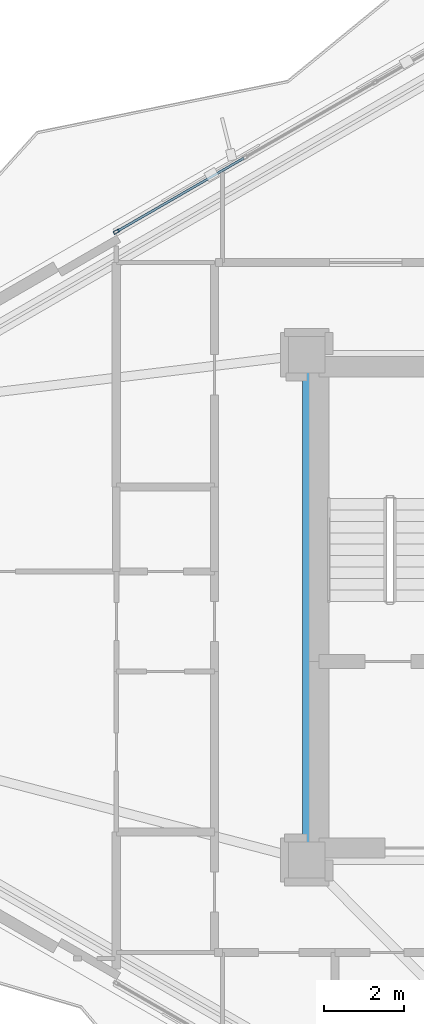
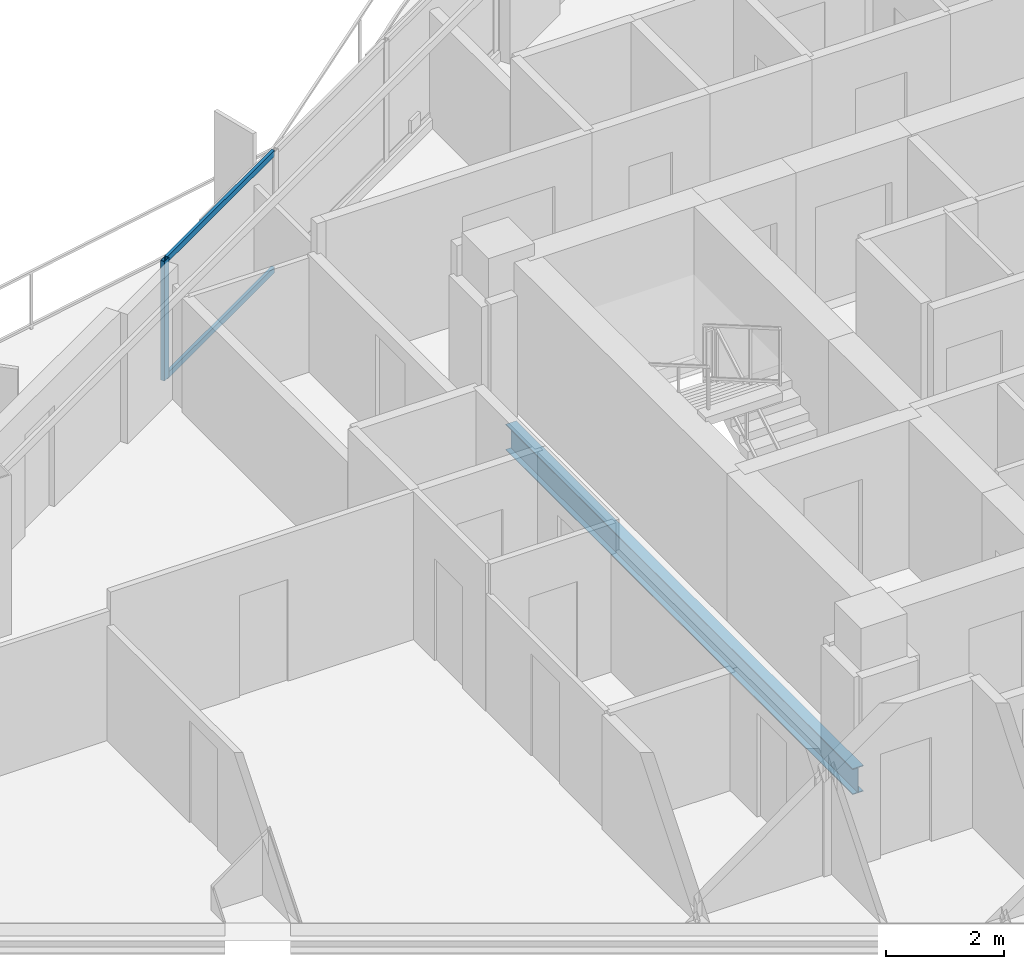
# One storey, part 6 of 22: 3 members, 1 beam, 1 element without a shape of its own.
"""IFC4 building model written with IfcOpenShell, lengths in metres."""

from ifc_helpers import new_model, si_unit, direction, frame, origin, origin_2d, place, context, subcontext, project, spatial, hollow_rectangle, i_section, extrude, material, layer, layer_set, material_profile, profile_set, type_object, element, aggregate, save


model = new_model("IFC4")

# Units and contexts
model_context = context("Model", 3, precision=1e-05, world=origin(), true_north=direction((0.0, 1.0)))
body_context = subcontext(model_context, "Body", "Model", "MODEL_VIEW")
ifc_project = project(units=[si_unit("LENGTHUNIT", "METRE"), si_unit("AREAUNIT", "SQUARE_METRE"), si_unit("VOLUMEUNIT", "CUBIC_METRE"), si_unit("PLANEANGLEUNIT", "RADIAN"), si_unit("MASSUNIT", "GRAM", prefix="KILO")], contexts=[model_context])

# Site, building, storey
site_placement = place(None, origin())
site = spatial("IfcSite", under=ifc_project, at=site_placement, CompositionType="ELEMENT")
building_placement = place(site_placement, origin())
building = spatial("IfcBuilding", under=site, at=building_placement, Name="Mersakhor Tower and Convention Hall", CompositionType="ELEMENT")
storey_placement = place(building_placement, frame((0.0, 0.0, 76.800048828125)))
storey = spatial("IfcBuildingStorey", under=building, at=storey_placement, Name="L20", CompositionType="ELEMENT", Elevation=76.800048828125)

# Beam
ifc_material_1 = material(Name="Steel S355", Category="steel")
ifc_material_profile_1 = material_profile(ifc_material_1, i_section(OverallWidth=0.2099609375, OverallDepth=0.53662109375, WebThickness=0.0107421875, FlangeThickness=0.017333984375, at=origin_2d()), Name="UB 533x210x101")
ifc_profile_set_1 = profile_set([ifc_material_profile_1], Name="Steel S355")
beam_type = type_object("IfcBeamType", Name="BM-FB-533", PredefinedType="BEAM", material=ifc_profile_set_1)
beam_placement = place(storey_placement, frame((21.89990234375, 20.8798828125, -0.5185546875), z_axis=(0.0, 1.0, 0.0), x_axis=(-1.0, 0.0, 0.0)))
element("IfcBeam", 1, at=beam_placement, inside=storey, type_object=beam_type, Name="L20 Core Ring Tie Beam CRB-1", PredefinedType="BEAM", context=body_context, shape_type="SweptSolid", body=[
    extrude(i_section(OverallWidth=0.2099609375, OverallDepth=0.53662109375, WebThickness=0.0107421875, FlangeThickness=0.017333984375, at=origin_2d()), origin(), (0.0, 0.0, 1.0), 11.740234375),
])

# Curtain wall, members
ifc_material_2 = material(Name="Dark solar low-E aluminium curtain wall", Category="aluminium")
ifc_layer = layer(ifc_material_2, 0.159912109375)
ifc_layer_set = layer_set([ifc_layer], Name="Dark solar low-E aluminium curtain wall")
curtain_wall_type = type_object("IfcCurtainWallType", Name="CW-SYS-01", PredefinedType="USERDEFINED", material=ifc_layer_set)
curtain_wall_placement = place(storey_placement, origin())
curtain_wall = element("IfcCurtainWall", 2, at=curtain_wall_placement, inside=storey, type_object=curtain_wall_type, Name="L20 Dark-Glass Curtain Wall F1-B2", ObjectType="CURTAIN WALL", PredefinedType="USERDEFINED")
ifc_material_3 = material(Name="Anodised aluminium EN AW-6063 T6", Category="aluminium")
ifc_material_profile_2 = material_profile(ifc_material_3, hollow_rectangle(XDim=0.074951171875, YDim=0.14990234375, WallThickness=0.00634765625, at=origin_2d()), Name="RHS 150x75x6.3")
ifc_profile_set_2 = profile_set([ifc_material_profile_2], Name="Anodised aluminium EN AW-6063 T6")
member_type_1 = type_object("IfcMemberType", Name="CWM-150x75", PredefinedType="MULLION", material=ifc_profile_set_2)
member_1_placement = place(storey_placement, frame((17.152587890625, 36.11572265625, 0.199951171875), z_axis=(0.0, 0.0, 1.0), x_axis=(-0.499997904985, 0.866026613339, 0.0)))
member_1 = element("IfcMember", 3, at=member_1_placement, type_object=member_type_1, Name="CW-01 mullion 1", PredefinedType="MULLION", context=body_context, shape_type="SweptSolid", body=[
    extrude(hollow_rectangle(XDim=0.074951171875, YDim=0.14990234375, WallThickness=0.00634765625, at=origin_2d()), origin(), (0.0, 0.0, 1.0), 2.469970703125),
])
ifc_material_4 = material(Name="Anodised aluminium EN AW-6063 T6", Category="aluminium")
ifc_material_profile_3 = material_profile(ifc_material_4, hollow_rectangle(XDim=0.06005859375, YDim=0.1201171875, WallThickness=0.0048828125, at=origin_2d()), Name="RHS 120x60x5")
ifc_profile_set_3 = profile_set([ifc_material_profile_3], Name="Anodised aluminium EN AW-6063 T6")
member_type_2 = type_object("IfcMemberType", Name="CWT-120x60", PredefinedType="USERDEFINED", material=ifc_profile_set_3)
member_2_placement = place(storey_placement, frame((17.18505859375, 36.134521484375, 0.22998046875), z_axis=(0.866045614266, 0.499964992784, 0.0), x_axis=(-0.499964992784, 0.866045614266, 0.0)))
member_2 = element("IfcMember", 4, at=member_2_placement, type_object=member_type_2, Name="CW-01 transom 1.1", ObjectType="TRANSOM", PredefinedType="USERDEFINED", context=body_context, shape_type="SweptSolid", body=[
    extrude(hollow_rectangle(XDim=0.06005859375, YDim=0.1201171875, WallThickness=0.0048828125, at=origin_2d()), origin(), (0.0, 0.0, 1.0), 3.630615234375),
])
member_3_placement = place(storey_placement, frame((17.18505859375, 36.134521484375, 2.639892578125), z_axis=(0.866045614266, 0.499964992784, 0.0), x_axis=(-0.499964992784, 0.866045614266, 0.0)))
member_3 = element("IfcMember", 5, at=member_3_placement, type_object=member_type_2, Name="CW-01 transom 1.2", ObjectType="TRANSOM", PredefinedType="USERDEFINED", context=body_context, shape_type="SweptSolid", body=[
    extrude(hollow_rectangle(XDim=0.06005859375, YDim=0.1201171875, WallThickness=0.0048828125, at=origin_2d()), origin(), (0.0, 0.0, 1.0), 3.630615234375),
])
aggregate(curtain_wall, [member_1, member_2, member_3])

save(model, "model.ifc")
